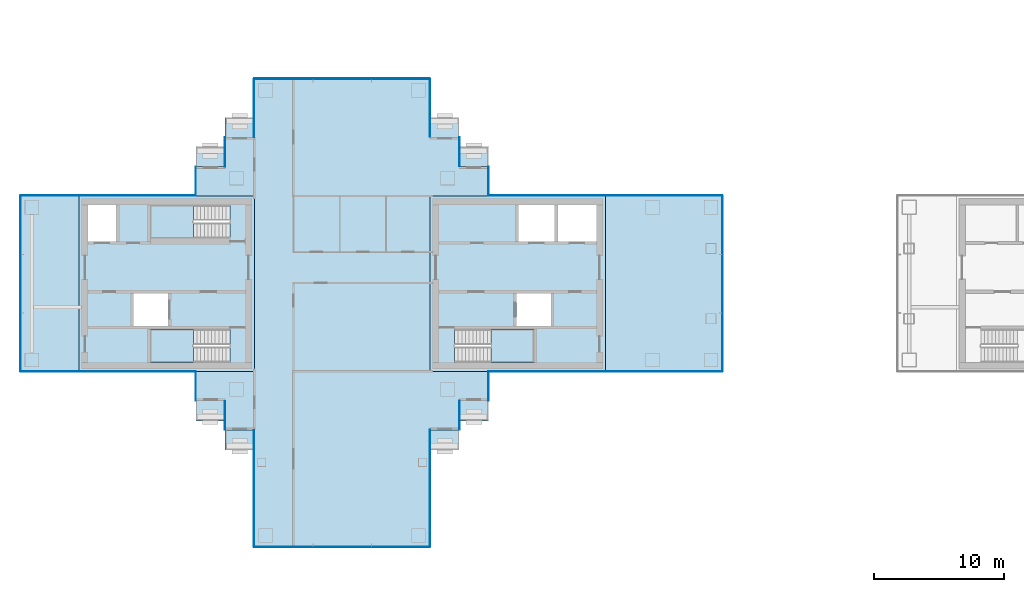
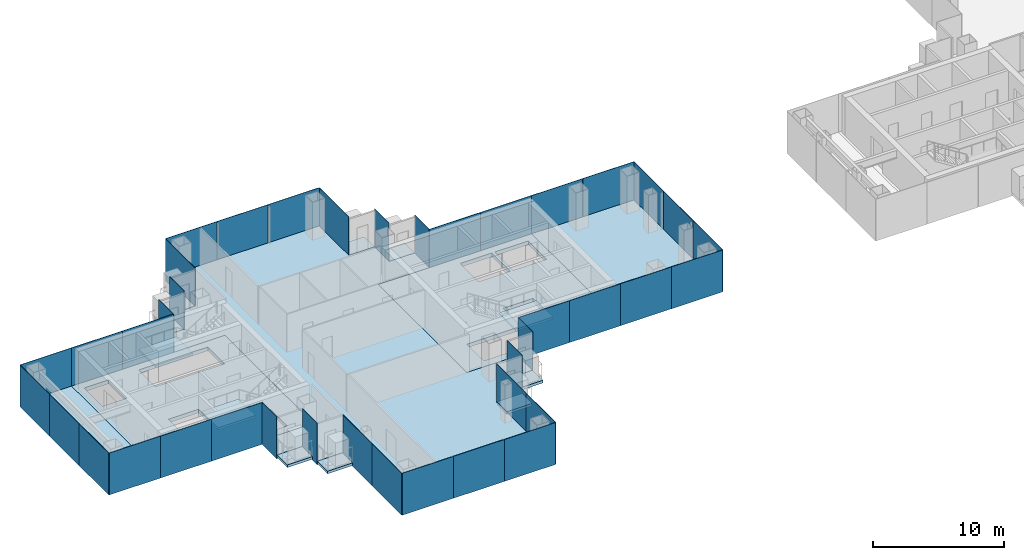
# One storey, part 7 of 17: 40 plates, 16 slabs, 23 elements without a shape of their own.
"""IFC4 building model written with IfcOpenShell, lengths in metres."""

from ifc_helpers import new_model, si_unit, direction, frame, origin, origin_2d, place, context, subcontext, project, spatial, polyline, rectangle, outline, extrude, material, layer, layer_set, type_object, element, aggregate, save


model = new_model("IFC4")

# Units and contexts
model_context = context("Model", 3, precision=1e-05, world=origin(), true_north=direction((0.0, 1.0)))
body_context = subcontext(model_context, "Body", "Model", "MODEL_VIEW")
ifc_project = project(units=[si_unit("LENGTHUNIT", "METRE"), si_unit("AREAUNIT", "SQUARE_METRE"), si_unit("VOLUMEUNIT", "CUBIC_METRE"), si_unit("PLANEANGLEUNIT", "RADIAN"), si_unit("MASSUNIT", "GRAM", prefix="KILO")], contexts=[model_context])

# Site, building, storey
site_placement = place(None, origin())
site = spatial("IfcSite", under=ifc_project, at=site_placement, CompositionType="ELEMENT")
building_placement = place(site_placement, origin())
building = spatial("IfcBuilding", under=site, at=building_placement, Name="Shamsa Quay Exchange Towers", CompositionType="ELEMENT")
storey_placement = place(building_placement, frame((0.0, 0.0, 170.10009765625)))
storey = spatial("IfcBuildingStorey", under=building, at=storey_placement, Name="L40", CompositionType="ELEMENT", Elevation=170.10009765625)

# Slabs
ifc_material_1 = material(Name="Precast concrete C40/50", Category="concrete")
ifc_layer_1 = layer(ifc_material_1, 0.25)
ifc_layer_set_1 = layer_set([ifc_layer_1], Name="BALCONY SLAB 250")
slab_type_1 = type_object("IfcSlabType", Name="BALCONY SLAB 250", PredefinedType="FLOOR", material=ifc_layer_set_1)
slab_1_placement = place(storey_placement, frame((0.0, 0.0, -0.25)))
element("IfcSlab", 1, at=slab_1_placement, inside=storey, type_object=slab_type_1, Name="Balcony T1-PKEN L40", PredefinedType="FLOOR", context=body_context, shape_type="SweptSolid", body=[
    extrude(outline(polyline([(-22.5, 9.0), (-24.7119140625, 9.0), (-24.7119140625, 10.550048828125), (-22.5, 10.550048828125), (-22.5, 9.0)])), origin(), (0.0, 0.0, 1.0), 0.25),
])
slab_2_placement = place(storey_placement, frame((0.0, 0.0, -0.25)))
element("IfcSlab", 2, at=slab_2_placement, inside=storey, type_object=slab_type_1, Name="Balcony T1-PKEN L40", PredefinedType="FLOOR", context=body_context, shape_type="SweptSolid", body=[
    extrude(outline(polyline([(-24.75, 11.25), (-26.9619140625, 11.25), (-26.9619140625, 12.800048828125), (-24.75, 12.800048828125), (-24.75, 11.25)])), origin(), (0.0, 0.0, 1.0), 0.25),
])
slab_3_placement = place(storey_placement, frame((0.0, 0.0, -0.25)))
element("IfcSlab", 3, at=slab_3_placement, inside=storey, type_object=slab_type_1, Name="Balcony T1-PKES L40", PredefinedType="FLOOR", context=body_context, shape_type="SweptSolid", body=[
    extrude(outline(polyline([(-24.7119140625, -9.0), (-22.5, -9.0), (-22.5, -10.550048828125), (-24.7119140625, -10.550048828125), (-24.7119140625, -9.0)])), origin(), (0.0, 0.0, 1.0), 0.25),
])
slab_4_placement = place(storey_placement, frame((0.0, 0.0, -0.25)))
element("IfcSlab", 4, at=slab_4_placement, inside=storey, type_object=slab_type_1, Name="Balcony T1-PKES L40", PredefinedType="FLOOR", context=body_context, shape_type="SweptSolid", body=[
    extrude(outline(polyline([(-26.9619140625, -11.25), (-24.75, -11.25), (-24.75, -12.800048828125), (-26.9619140625, -12.800048828125), (-26.9619140625, -11.25)])), origin(), (0.0, 0.0, 1.0), 0.25),
])
slab_5_placement = place(storey_placement, frame((0.0, 0.0, -0.25)))
element("IfcSlab", 5, at=slab_5_placement, inside=storey, type_object=slab_type_1, Name="Balcony T1-PKWN L40", PredefinedType="FLOOR", context=body_context, shape_type="SweptSolid", body=[
    extrude(outline(polyline([(-40.5380859375, 11.25), (-42.75, 11.25), (-42.75, 12.800048828125), (-40.5380859375, 12.800048828125), (-40.5380859375, 11.25)])), origin(), (0.0, 0.0, 1.0), 0.25),
])
slab_6_placement = place(storey_placement, frame((0.0, 0.0, -0.25)))
element("IfcSlab", 6, at=slab_6_placement, inside=storey, type_object=slab_type_1, Name="Balcony T1-PKWN L40", PredefinedType="FLOOR", context=body_context, shape_type="SweptSolid", body=[
    extrude(outline(polyline([(-42.7880859375, 9.0), (-45.0, 9.0), (-45.0, 10.550048828125), (-42.7880859375, 10.550048828125), (-42.7880859375, 9.0)])), origin(), (0.0, 0.0, 1.0), 0.25),
])
slab_7_placement = place(storey_placement, frame((0.0, 0.0, -0.25)))
element("IfcSlab", 7, at=slab_7_placement, inside=storey, type_object=slab_type_1, Name="Balcony T1-PKWS L40", PredefinedType="FLOOR", context=body_context, shape_type="SweptSolid", body=[
    extrude(outline(polyline([(-45.0, -9.0), (-42.7880859375, -9.0), (-42.7880859375, -10.550048828125), (-45.0, -10.550048828125), (-45.0, -9.0)])), origin(), (0.0, 0.0, 1.0), 0.25),
])
slab_8_placement = place(storey_placement, frame((0.0, 0.0, -0.25)))
element("IfcSlab", 8, at=slab_8_placement, inside=storey, type_object=slab_type_1, Name="Balcony T1-PKWS L40", PredefinedType="FLOOR", context=body_context, shape_type="SweptSolid", body=[
    extrude(outline(polyline([(-42.75, -11.25), (-40.5380859375, -11.25), (-40.5380859375, -12.800048828125), (-42.75, -12.800048828125), (-42.75, -11.25)])), origin(), (0.0, 0.0, 1.0), 0.25),
])
ifc_material_2 = material(Name="Concrete C50/60", Category="concrete")
ifc_layer_2 = layer(ifc_material_2, 0.35009765625)
ifc_layer_set_2 = layer_set([ifc_layer_2], Name="CORE FLOOR 350 C50/60")
slab_type_2 = type_object("IfcSlabType", Name="CORE FLOOR 350 C50/60", PredefinedType="FLOOR", material=ifc_layer_set_2)
slab_9_placement = place(storey_placement, frame((0.0, 0.0, -0.35009765625)))
element("IfcSlab", 9, at=slab_9_placement, inside=storey, type_object=slab_type_2, Name="Core floor T1A", PredefinedType="FLOOR", context=body_context, shape_type="SweptSolid", body=[
    extrude(outline(polyline([(-27.0, -6.75), (-13.5, -6.75), (-13.5, 6.75), (-27.0, 6.75), (-27.0, -6.75)]), holes=[polyline([(-25.099365234375, -6.050048828125), (-25.099365234375, -3.5), (-19.0, -3.5), (-19.0, -6.050048828125), (-25.099365234375, -6.050048828125)]), polyline([(-20.199951171875, 3.25), (-20.199951171875, 6.050048828125), (-17.39990234375, 6.050048828125), (-17.39990234375, 3.25), (-20.199951171875, 3.25)]), polyline([(-17.14990234375, 3.25), (-17.14990234375, 6.050048828125), (-14.199951171875, 6.050048828125), (-14.199951171875, 3.25), (-17.14990234375, 3.25)]), polyline([(-20.35009765625, -3.25), (-20.35009765625, -0.75), (-17.699951171875, -0.75), (-17.699951171875, -3.25), (-20.35009765625, -3.25)])]), origin(), (0.0, 0.0, 1.0), 0.35009765625),
])
slab_10_placement = place(storey_placement, frame((0.0, 0.0, -0.35009765625)))
element("IfcSlab", 10, at=slab_10_placement, inside=storey, type_object=slab_type_2, Name="Core floor T1B", PredefinedType="FLOOR", context=body_context, shape_type="SweptSolid", body=[
    extrude(outline(polyline([(-40.5, -6.75), (-40.5, 6.75), (-54.0, 6.75), (-54.0, -6.75), (-40.5, -6.75)]), holes=[polyline([(-42.400634765625, -3.5), (-42.400634765625, -6.050048828125), (-48.5, -6.050048828125), (-48.5, -3.5), (-42.400634765625, -3.5)]), polyline([(-42.400634765625, 6.050048828125), (-42.400634765625, 3.5), (-48.5, 3.5), (-48.5, 6.050048828125), (-42.400634765625, 6.050048828125)]), polyline([(-51.14990234375, 3.25), (-53.300048828125, 3.25), (-53.300048828125, 6.050048828125), (-51.14990234375, 6.050048828125), (-51.14990234375, 3.25)]), polyline([(-47.14990234375, -3.25), (-49.800048828125, -3.25), (-49.800048828125, -0.75), (-47.14990234375, -0.75), (-47.14990234375, -3.25)])]), origin(), (0.0, 0.0, 1.0), 0.35009765625),
])

# Stair, slab
ifc_material_3 = material(Name="Concrete C40/50", Category="concrete")
stair_type = type_object("IfcStairType", Name="EXIT STAIR 22 RISERS 177 MM", PredefinedType="HALF_TURN_STAIR", material=ifc_material_3)
stair_1_placement = place(storey_placement, origin())
stair_1 = element("IfcStair", 11, at=stair_1_placement, inside=storey, type_object=stair_type, Name="L40 Exit stair ST1", PredefinedType="HALF_TURN_STAIR")
ifc_layer_3 = layer(ifc_material_3, 0.199951171875)
ifc_layer_set_3 = layer_set([ifc_layer_3], Name="CORE STAIR LANDING")
slab_type_3 = type_object("IfcSlabType", Name="CORE STAIR LANDING", PredefinedType="LANDING", material=ifc_layer_set_3)
slab_11_placement = place(storey_placement, frame((0.0, 0.0, 1.75)))
slab_11 = element("IfcSlab", 12, at=slab_11_placement, type_object=slab_type_3, Name="ST1 landing 1", PredefinedType="LANDING", context=body_context, shape_type="SweptSolid", body=[
    extrude(outline(polyline([(-22.300048828125, -6.050048828125), (-19.0, -6.050048828125), (-19.0, -3.5), (-22.300048828125, -3.5), (-22.300048828125, -6.050048828125)])), origin(), (0.0, 0.0, 1.0), 0.199951171875),
])
aggregate(stair_1, [slab_11])

stair_2_placement = place(storey_placement, origin())
stair_2 = element("IfcStair", 13, at=stair_2_placement, inside=storey, type_object=stair_type, Name="L40 Exit stair ST2", PredefinedType="HALF_TURN_STAIR")
slab_12_placement = place(storey_placement, frame((0.0, 0.0, 1.75)))
slab_12 = element("IfcSlab", 14, at=slab_12_placement, type_object=slab_type_3, Name="ST2 landing 1", PredefinedType="LANDING", context=body_context, shape_type="SweptSolid", body=[
    extrude(outline(polyline([(-45.199951171875, -3.5), (-48.5, -3.5), (-48.5, -6.050048828125), (-45.199951171875, -6.050048828125), (-45.199951171875, -3.5)])), origin(), (0.0, 0.0, 1.0), 0.199951171875),
])
aggregate(stair_2, [slab_12])

stair_3_placement = place(storey_placement, origin())
stair_3 = element("IfcStair", 15, at=stair_3_placement, inside=storey, type_object=stair_type, Name="L40 Exit stair ST3", PredefinedType="HALF_TURN_STAIR")
slab_13_placement = place(storey_placement, frame((0.0, 0.0, 1.75)))
slab_13 = element("IfcSlab", 16, at=slab_13_placement, type_object=slab_type_3, Name="ST3 landing 1", PredefinedType="LANDING", context=body_context, shape_type="SweptSolid", body=[
    extrude(outline(polyline([(-45.199951171875, 6.050048828125), (-48.5, 6.050048828125), (-48.5, 3.5), (-45.199951171875, 3.5), (-45.199951171875, 6.050048828125)])), origin(), (0.0, 0.0, 1.0), 0.199951171875),
])
aggregate(stair_3, [slab_13])

# Curtain wall, plates
ifc_material_4 = material(Name="Aluminium EN AW-6063 T6, black anodised", Category="aluminium")
ifc_layer_4 = layer(ifc_material_4, 0.280029296875)
ifc_layer_set_4 = layer_set([ifc_layer_4], Name="CW-1 UNITISED VISION GLASS")
curtain_wall_type_1 = type_object("IfcCurtainWallType", Name="CW-1 UNITISED VISION GLASS", PredefinedType="NOTDEFINED", material=ifc_layer_set_4)
curtain_wall_1_placement = place(storey_placement, origin())
curtain_wall_1 = element("IfcCurtainWall", 17, at=curtain_wall_1_placement, inside=storey, type_object=curtain_wall_type_1, Name="CW1 T1-FLK-V-W L40", PredefinedType="NOTDEFINED")
ifc_material_5 = material(Name="Glass, laminated, dark tinted", Category="glass")
ifc_layer_5 = layer(ifc_material_5, 0.0400390625)
ifc_layer_set_5 = layer_set([ifc_layer_5], Name="CW-1 VISION GLASS 40")
plate_type_1 = type_object("IfcPlateType", Name="CW-1 VISION GLASS 40", PredefinedType="CURTAIN_PANEL", material=ifc_layer_set_5)
plate_1_placement = place(storey_placement, frame((-40.52001953125, -13.52587890625, -0.35009765625), z_axis=(0.0, 0.0, 1.0), x_axis=(0.0, -1.0, 0.0)))
plate_1 = element("IfcPlate", 18, at=plate_1_placement, type_object=plate_type_1, Name="CW1 glass panel", PredefinedType="CURTAIN_PANEL", context=body_context, shape_type="SweptSolid", body=[
    extrude(rectangle(XDim=4.47607421875, YDim=0.0400390625, at=origin_2d()), origin(), (0.0, 0.0, 1.0), 3.89990234375),
])
plate_2_placement = place(storey_placement, frame((-40.52001953125, -18.011962890625, -0.35009765625), z_axis=(0.0, 0.0, 1.0), x_axis=(0.0, -1.0, 0.0)))
plate_2 = element("IfcPlate", 19, at=plate_2_placement, type_object=plate_type_1, Name="CW1 glass panel", PredefinedType="CURTAIN_PANEL", context=body_context, shape_type="SweptSolid", body=[
    extrude(rectangle(XDim=4.47607421875, YDim=0.0400390625, at=origin_2d()), origin(), (0.0, 0.0, 1.0), 3.89990234375),
])
aggregate(curtain_wall_1, [plate_1, plate_2])

curtain_wall_2_placement = place(storey_placement, origin())
curtain_wall_2 = element("IfcCurtainWall", 20, at=curtain_wall_2_placement, inside=storey, type_object=curtain_wall_type_1, Name="CW1 T1-END-V- L40", PredefinedType="NOTDEFINED")
plate_3_placement = place(storey_placement, frame((-38.25244140625, -20.27001953125, -0.35009765625)))
plate_3 = element("IfcPlate", 21, at=plate_3_placement, type_object=plate_type_1, Name="CW1 glass panel", PredefinedType="CURTAIN_PANEL", context=body_context, shape_type="SweptSolid", body=[
    extrude(rectangle(XDim=4.4951171875, YDim=0.0400390625, at=origin_2d()), origin(), (0.0, 0.0, 1.0), 3.89990234375),
])
plate_4_placement = place(storey_placement, frame((-33.75, -20.27001953125, -0.35009765625)))
plate_4 = element("IfcPlate", 22, at=plate_4_placement, type_object=plate_type_1, Name="CW1 glass panel", PredefinedType="CURTAIN_PANEL", context=body_context, shape_type="SweptSolid", body=[
    extrude(rectangle(XDim=4.489990234375, YDim=0.0400390625, at=origin_2d()), origin(), (0.0, 0.0, 1.0), 3.89990234375),
])
plate_5_placement = place(storey_placement, frame((-29.24755859375, -20.27001953125, -0.35009765625)))
plate_5 = element("IfcPlate", 23, at=plate_5_placement, type_object=plate_type_1, Name="CW1 glass panel", PredefinedType="CURTAIN_PANEL", context=body_context, shape_type="SweptSolid", body=[
    extrude(rectangle(XDim=4.4951171875, YDim=0.0400390625, at=origin_2d()), origin(), (0.0, 0.0, 1.0), 3.89990234375),
])
aggregate(curtain_wall_2, [plate_3, plate_4, plate_5])

curtain_wall_3_placement = place(storey_placement, origin())
curtain_wall_3 = element("IfcCurtainWall", 24, at=curtain_wall_3_placement, inside=storey, type_object=curtain_wall_type_1, Name="CW1 T1-FLK-V-E L40", PredefinedType="NOTDEFINED")
plate_6_placement = place(storey_placement, frame((-26.97998046875, -18.00244140625, -0.35009765625), z_axis=(0.0, 0.0, 1.0), x_axis=(0.0, 1.0, 0.0)))
plate_6 = element("IfcPlate", 25, at=plate_6_placement, type_object=plate_type_1, Name="CW1 glass panel", PredefinedType="CURTAIN_PANEL", context=body_context, shape_type="SweptSolid", body=[
    extrude(rectangle(XDim=4.4951171875, YDim=0.0400390625, at=origin_2d()), origin(), (0.0, 0.0, 1.0), 3.89990234375),
])
plate_7_placement = place(storey_placement, frame((-26.97998046875, -13.49755859375, -0.35009765625), z_axis=(0.0, 0.0, 1.0), x_axis=(0.0, 1.0, 0.0)))
plate_7 = element("IfcPlate", 26, at=plate_7_placement, type_object=plate_type_1, Name="CW1 glass panel", PredefinedType="CURTAIN_PANEL", context=body_context, shape_type="SweptSolid", body=[
    extrude(rectangle(XDim=4.4951171875, YDim=0.0400390625, at=origin_2d()), origin(), (0.0, 0.0, 1.0), 3.89990234375),
])
aggregate(curtain_wall_3, [plate_6, plate_7])

curtain_wall_4_placement = place(storey_placement, origin())
curtain_wall_4 = element("IfcCurtainWall", 27, at=curtain_wall_4_placement, inside=storey, type_object=curtain_wall_type_1, Name="CW1 T1-FLK-U+S L40", PredefinedType="NOTDEFINED")
plate_8_placement = place(storey_placement, frame((-11.25244140625, -6.77001953125, -0.35009765625)))
plate_8 = element("IfcPlate", 28, at=plate_8_placement, type_object=plate_type_1, Name="CW1 glass panel", PredefinedType="CURTAIN_PANEL", context=body_context, shape_type="SweptSolid", body=[
    extrude(rectangle(XDim=4.4951171875, YDim=0.0400390625, at=origin_2d()), origin(), (0.0, 0.0, 1.0), 3.89990234375),
])
plate_9_placement = place(storey_placement, frame((-6.74755859375, -6.77001953125, -0.35009765625)))
plate_9 = element("IfcPlate", 29, at=plate_9_placement, type_object=plate_type_1, Name="CW1 glass panel", PredefinedType="CURTAIN_PANEL", context=body_context, shape_type="SweptSolid", body=[
    extrude(rectangle(XDim=4.4951171875, YDim=0.0400390625, at=origin_2d()), origin(), (0.0, 0.0, 1.0), 3.89990234375),
])
aggregate(curtain_wall_4, [plate_8, plate_9])

curtain_wall_5_placement = place(storey_placement, origin())
curtain_wall_5 = element("IfcCurtainWall", 30, at=curtain_wall_5_placement, inside=storey, type_object=curtain_wall_type_1, Name="CW1 T1-END-U+ L40", PredefinedType="NOTDEFINED")
plate_10_placement = place(storey_placement, frame((-4.47998046875, -4.50244140625, -0.35009765625), z_axis=(0.0, 0.0, 1.0), x_axis=(0.0, 1.0, 0.0)))
plate_10 = element("IfcPlate", 31, at=plate_10_placement, type_object=plate_type_1, Name="CW1 glass panel", PredefinedType="CURTAIN_PANEL", context=body_context, shape_type="SweptSolid", body=[
    extrude(rectangle(XDim=4.4951171875, YDim=0.0400390625, at=origin_2d()), origin(), (0.0, 0.0, 1.0), 3.89990234375),
])
plate_11_placement = place(storey_placement, frame((-4.47998046875, 0.0, -0.35009765625), z_axis=(0.0, 0.0, 1.0), x_axis=(0.0, 1.0, 0.0)))
plate_11 = element("IfcPlate", 32, at=plate_11_placement, type_object=plate_type_1, Name="CW1 glass panel", PredefinedType="CURTAIN_PANEL", context=body_context, shape_type="SweptSolid", body=[
    extrude(rectangle(XDim=4.489990234375, YDim=0.0400390625, at=origin_2d()), origin(), (0.0, 0.0, 1.0), 3.89990234375),
])
plate_12_placement = place(storey_placement, frame((-4.47998046875, 4.50244140625, -0.35009765625), z_axis=(0.0, 0.0, 1.0), x_axis=(0.0, 1.0, 0.0)))
plate_12 = element("IfcPlate", 33, at=plate_12_placement, type_object=plate_type_1, Name="CW1 glass panel", PredefinedType="CURTAIN_PANEL", context=body_context, shape_type="SweptSolid", body=[
    extrude(rectangle(XDim=4.4951171875, YDim=0.0400390625, at=origin_2d()), origin(), (0.0, 0.0, 1.0), 3.89990234375),
])
aggregate(curtain_wall_5, [plate_10, plate_11, plate_12])

curtain_wall_6_placement = place(storey_placement, origin())
curtain_wall_6 = element("IfcCurtainWall", 34, at=curtain_wall_6_placement, inside=storey, type_object=curtain_wall_type_1, Name="CW1 T1-FLK-U+N L40", PredefinedType="NOTDEFINED")
plate_13_placement = place(storey_placement, frame((-6.74755859375, 6.77001953125, -0.35009765625), z_axis=(0.0, 0.0, 1.0), x_axis=(-1.0, 0.0, 0.0)))
plate_13 = element("IfcPlate", 35, at=plate_13_placement, type_object=plate_type_1, Name="CW1 glass panel", PredefinedType="CURTAIN_PANEL", context=body_context, shape_type="SweptSolid", body=[
    extrude(rectangle(XDim=4.4951171875, YDim=0.0400390625, at=origin_2d()), origin(), (0.0, 0.0, 1.0), 3.89990234375),
])
plate_14_placement = place(storey_placement, frame((-11.25244140625, 6.77001953125, -0.35009765625), z_axis=(0.0, 0.0, 1.0), x_axis=(-1.0, 0.0, 0.0)))
plate_14 = element("IfcPlate", 36, at=plate_14_placement, type_object=plate_type_1, Name="CW1 glass panel", PredefinedType="CURTAIN_PANEL", context=body_context, shape_type="SweptSolid", body=[
    extrude(rectangle(XDim=4.4951171875, YDim=0.0400390625, at=origin_2d()), origin(), (0.0, 0.0, 1.0), 3.89990234375),
])
aggregate(curtain_wall_6, [plate_13, plate_14])

# Curtain wall, plate
curtain_wall_7_placement = place(storey_placement, origin())
curtain_wall_7 = element("IfcCurtainWall", 37, at=curtain_wall_7_placement, inside=storey, type_object=curtain_wall_type_1, Name="CW1 T1-FLK-V+E L40", PredefinedType="NOTDEFINED")
plate_15_placement = place(storey_placement, frame((-26.97998046875, 13.51904296875, -0.35009765625), z_axis=(0.0, 0.0, 1.0), x_axis=(0.0, 1.0, 0.0)))
plate_15 = element("IfcPlate", 38, at=plate_15_placement, type_object=plate_type_1, Name="CW1 glass panel", PredefinedType="CURTAIN_PANEL", context=body_context, shape_type="SweptSolid", body=[
    extrude(rectangle(XDim=4.4619140625, YDim=0.0400390625, at=origin_2d()), origin(), (0.0, 0.0, 1.0), 3.89990234375),
])
aggregate(curtain_wall_7, [plate_15])

# Curtain wall, plates
curtain_wall_8_placement = place(storey_placement, origin())
curtain_wall_8 = element("IfcCurtainWall", 39, at=curtain_wall_8_placement, inside=storey, type_object=curtain_wall_type_1, Name="CW1 T1-END-V+ L40", PredefinedType="NOTDEFINED")
plate_16_placement = place(storey_placement, frame((-29.24755859375, 15.77001953125, -0.35009765625), z_axis=(0.0, 0.0, 1.0), x_axis=(-1.0, 0.0, 0.0)))
plate_16 = element("IfcPlate", 40, at=plate_16_placement, type_object=plate_type_1, Name="CW1 glass panel", PredefinedType="CURTAIN_PANEL", context=body_context, shape_type="SweptSolid", body=[
    extrude(rectangle(XDim=4.4951171875, YDim=0.0400390625, at=origin_2d()), origin(), (0.0, 0.0, 1.0), 3.89990234375),
])
plate_17_placement = place(storey_placement, frame((-33.75, 15.77001953125, -0.35009765625), z_axis=(0.0, 0.0, 1.0), x_axis=(-1.0, 0.0, 0.0)))
plate_17 = element("IfcPlate", 41, at=plate_17_placement, type_object=plate_type_1, Name="CW1 glass panel", PredefinedType="CURTAIN_PANEL", context=body_context, shape_type="SweptSolid", body=[
    extrude(rectangle(XDim=4.489990234375, YDim=0.0400390625, at=origin_2d()), origin(), (0.0, 0.0, 1.0), 3.89990234375),
])
plate_18_placement = place(storey_placement, frame((-38.25244140625, 15.77001953125, -0.35009765625), z_axis=(0.0, 0.0, 1.0), x_axis=(-1.0, 0.0, 0.0)))
plate_18 = element("IfcPlate", 42, at=plate_18_placement, type_object=plate_type_1, Name="CW1 glass panel", PredefinedType="CURTAIN_PANEL", context=body_context, shape_type="SweptSolid", body=[
    extrude(rectangle(XDim=4.4951171875, YDim=0.0400390625, at=origin_2d()), origin(), (0.0, 0.0, 1.0), 3.89990234375),
])
aggregate(curtain_wall_8, [plate_16, plate_17, plate_18])

# Curtain wall, plate
curtain_wall_9_placement = place(storey_placement, origin())
curtain_wall_9 = element("IfcCurtainWall", 43, at=curtain_wall_9_placement, inside=storey, type_object=curtain_wall_type_1, Name="CW1 T1-FLK-V+W L40", PredefinedType="NOTDEFINED")
plate_19_placement = place(storey_placement, frame((-40.52001953125, 13.5, -0.35009765625), z_axis=(0.0, 0.0, 1.0), x_axis=(0.0, -1.0, 0.0)))
plate_19 = element("IfcPlate", 44, at=plate_19_placement, type_object=plate_type_1, Name="CW1 glass panel", PredefinedType="CURTAIN_PANEL", context=body_context, shape_type="SweptSolid", body=[
    extrude(rectangle(XDim=4.5, YDim=0.0400390625, at=origin_2d()), origin(), (0.0, 0.0, 1.0), 3.89990234375),
])
aggregate(curtain_wall_9, [plate_19])

curtain_wall_10_placement = place(storey_placement, origin())
curtain_wall_10 = element("IfcCurtainWall", 45, at=curtain_wall_10_placement, inside=storey, type_object=curtain_wall_type_1, Name="CW1 T1-FLK-U-N L40", PredefinedType="NOTDEFINED")
plate_20_placement = place(storey_placement, frame((-56.25, 6.77001953125, -0.35009765625), z_axis=(0.0, 0.0, 1.0), x_axis=(-1.0, 0.0, 0.0)))
plate_20 = element("IfcPlate", 46, at=plate_20_placement, type_object=plate_type_1, Name="CW1 glass panel", PredefinedType="CURTAIN_PANEL", context=body_context, shape_type="SweptSolid", body=[
    extrude(rectangle(XDim=4.5, YDim=0.0400390625, at=origin_2d()), origin(), (0.0, 0.0, 1.0), 3.89990234375),
])
aggregate(curtain_wall_10, [plate_20])

# Curtain wall, plates
curtain_wall_11_placement = place(storey_placement, origin())
curtain_wall_11 = element("IfcCurtainWall", 47, at=curtain_wall_11_placement, inside=storey, type_object=curtain_wall_type_1, Name="CW1 T1-END-U- L40", PredefinedType="NOTDEFINED")
plate_21_placement = place(storey_placement, frame((-58.52001953125, 4.50244140625, -0.35009765625), z_axis=(0.0, 0.0, 1.0), x_axis=(0.0, -1.0, 0.0)))
plate_21 = element("IfcPlate", 48, at=plate_21_placement, type_object=plate_type_1, Name="CW1 glass panel", PredefinedType="CURTAIN_PANEL", context=body_context, shape_type="SweptSolid", body=[
    extrude(rectangle(XDim=4.4951171875, YDim=0.0400390625, at=origin_2d()), origin(), (0.0, 0.0, 1.0), 3.89990234375),
])
plate_22_placement = place(storey_placement, frame((-58.52001953125, 0.0, -0.35009765625), z_axis=(0.0, 0.0, 1.0), x_axis=(0.0, -1.0, 0.0)))
plate_22 = element("IfcPlate", 49, at=plate_22_placement, type_object=plate_type_1, Name="CW1 glass panel", PredefinedType="CURTAIN_PANEL", context=body_context, shape_type="SweptSolid", body=[
    extrude(rectangle(XDim=4.489990234375, YDim=0.0400390625, at=origin_2d()), origin(), (0.0, 0.0, 1.0), 3.89990234375),
])
plate_23_placement = place(storey_placement, frame((-58.52001953125, -4.50244140625, -0.35009765625), z_axis=(0.0, 0.0, 1.0), x_axis=(0.0, -1.0, 0.0)))
plate_23 = element("IfcPlate", 50, at=plate_23_placement, type_object=plate_type_1, Name="CW1 glass panel", PredefinedType="CURTAIN_PANEL", context=body_context, shape_type="SweptSolid", body=[
    extrude(rectangle(XDim=4.4951171875, YDim=0.0400390625, at=origin_2d()), origin(), (0.0, 0.0, 1.0), 3.89990234375),
])
aggregate(curtain_wall_11, [plate_21, plate_22, plate_23])

# Curtain wall, plate
curtain_wall_12_placement = place(storey_placement, origin())
curtain_wall_12 = element("IfcCurtainWall", 51, at=curtain_wall_12_placement, inside=storey, type_object=curtain_wall_type_1, Name="CW1 T1-FLK-U-S L40", PredefinedType="NOTDEFINED")
plate_24_placement = place(storey_placement, frame((-56.25, -6.77001953125, -0.35009765625)))
plate_24 = element("IfcPlate", 52, at=plate_24_placement, type_object=plate_type_1, Name="CW1 glass panel", PredefinedType="CURTAIN_PANEL", context=body_context, shape_type="SweptSolid", body=[
    extrude(rectangle(XDim=4.5, YDim=0.0400390625, at=origin_2d()), origin(), (0.0, 0.0, 1.0), 3.89990234375),
])
aggregate(curtain_wall_12, [plate_24])

# Curtain wall, plates
ifc_layer_6 = layer(ifc_material_4, 0.303955078125)
ifc_layer_set_6 = layer_set([ifc_layer_6], Name="CW-2 UNITISED OPAQUE SPANDREL GLASS")
curtain_wall_type_2 = type_object("IfcCurtainWallType", Name="CW-2 UNITISED OPAQUE SPANDREL GLASS", PredefinedType="NOTDEFINED", material=ifc_layer_set_6)
curtain_wall_13_placement = place(storey_placement, origin())
curtain_wall_13 = element("IfcCurtainWall", 53, at=curtain_wall_13_placement, inside=storey, type_object=curtain_wall_type_2, Name="CW2 T1-FLK-U+S L40", PredefinedType="NOTDEFINED")
ifc_material_6 = material(Name="Glass, laminated, black enamelled opaque", Category="glass")
ifc_layer_7 = layer(ifc_material_6, 0.0439453125)
ifc_layer_set_7 = layer_set([ifc_layer_7], Name="CW-2 SPANDREL GLASS 44")
plate_type_2 = type_object("IfcPlateType", Name="CW-2 SPANDREL GLASS 44", PredefinedType="CURTAIN_PANEL", material=ifc_layer_set_7)
plate_25_placement = place(storey_placement, frame((-20.22412109375, -6.77197265625, -0.35009765625)))
plate_25 = element("IfcPlate", 54, at=plate_25_placement, type_object=plate_type_2, Name="CW2 glass panel", PredefinedType="CURTAIN_PANEL", context=body_context, shape_type="SweptSolid", body=[
    extrude(rectangle(XDim=4.47607421875, YDim=0.0439453125, at=origin_2d()), origin(), (0.0, 0.0, 1.0), 3.89990234375),
])
plate_26_placement = place(storey_placement, frame((-15.738037109375, -6.77197265625, -0.35009765625)))
plate_26 = element("IfcPlate", 55, at=plate_26_placement, type_object=plate_type_2, Name="CW2 glass panel", PredefinedType="CURTAIN_PANEL", context=body_context, shape_type="SweptSolid", body=[
    extrude(rectangle(XDim=4.47607421875, YDim=0.0439453125, at=origin_2d()), origin(), (0.0, 0.0, 1.0), 3.89990234375),
])
aggregate(curtain_wall_13, [plate_25, plate_26])

curtain_wall_14_placement = place(storey_placement, origin())
curtain_wall_14 = element("IfcCurtainWall", 56, at=curtain_wall_14_placement, inside=storey, type_object=curtain_wall_type_2, Name="CW2 T1-FLK-U+N L40", PredefinedType="NOTDEFINED")
plate_27_placement = place(storey_placement, frame((-15.74755859375, 6.77197265625, -0.35009765625), z_axis=(0.0, 0.0, 1.0), x_axis=(-1.0, 0.0, 0.0)))
plate_27 = element("IfcPlate", 57, at=plate_27_placement, type_object=plate_type_2, Name="CW2 glass panel", PredefinedType="CURTAIN_PANEL", context=body_context, shape_type="SweptSolid", body=[
    extrude(rectangle(XDim=4.4951171875, YDim=0.0439453125, at=origin_2d()), origin(), (0.0, 0.0, 1.0), 3.89990234375),
])
plate_28_placement = place(storey_placement, frame((-20.25244140625, 6.77197265625, -0.35009765625), z_axis=(0.0, 0.0, 1.0), x_axis=(-1.0, 0.0, 0.0)))
plate_28 = element("IfcPlate", 58, at=plate_28_placement, type_object=plate_type_2, Name="CW2 glass panel", PredefinedType="CURTAIN_PANEL", context=body_context, shape_type="SweptSolid", body=[
    extrude(rectangle(XDim=4.4951171875, YDim=0.0439453125, at=origin_2d()), origin(), (0.0, 0.0, 1.0), 3.89990234375),
])
aggregate(curtain_wall_14, [plate_27, plate_28])

curtain_wall_15_placement = place(storey_placement, origin())
curtain_wall_15 = element("IfcCurtainWall", 59, at=curtain_wall_15_placement, inside=storey, type_object=curtain_wall_type_2, Name="CW2 T1-FLK-U-N L40", PredefinedType="NOTDEFINED")
plate_29_placement = place(storey_placement, frame((-47.27587890625, 6.77197265625, -0.35009765625), z_axis=(0.0, 0.0, 1.0), x_axis=(-1.0, 0.0, 0.0)))
plate_29 = element("IfcPlate", 60, at=plate_29_placement, type_object=plate_type_2, Name="CW2 glass panel", PredefinedType="CURTAIN_PANEL", context=body_context, shape_type="SweptSolid", body=[
    extrude(rectangle(XDim=4.47607421875, YDim=0.0439453125, at=origin_2d()), origin(), (0.0, 0.0, 1.0), 3.89990234375),
])
plate_30_placement = place(storey_placement, frame((-51.761962890625, 6.77197265625, -0.35009765625), z_axis=(0.0, 0.0, 1.0), x_axis=(-1.0, 0.0, 0.0)))
plate_30 = element("IfcPlate", 61, at=plate_30_placement, type_object=plate_type_2, Name="CW2 glass panel", PredefinedType="CURTAIN_PANEL", context=body_context, shape_type="SweptSolid", body=[
    extrude(rectangle(XDim=4.47607421875, YDim=0.0439453125, at=origin_2d()), origin(), (0.0, 0.0, 1.0), 3.89990234375),
])
aggregate(curtain_wall_15, [plate_29, plate_30])

curtain_wall_16_placement = place(storey_placement, origin())
curtain_wall_16 = element("IfcCurtainWall", 62, at=curtain_wall_16_placement, inside=storey, type_object=curtain_wall_type_2, Name="CW2 T1-FLK-U-S L40", PredefinedType="NOTDEFINED")
plate_31_placement = place(storey_placement, frame((-51.75244140625, -6.77197265625, -0.35009765625)))
plate_31 = element("IfcPlate", 63, at=plate_31_placement, type_object=plate_type_2, Name="CW2 glass panel", PredefinedType="CURTAIN_PANEL", context=body_context, shape_type="SweptSolid", body=[
    extrude(rectangle(XDim=4.4951171875, YDim=0.0439453125, at=origin_2d()), origin(), (0.0, 0.0, 1.0), 3.89990234375),
])
plate_32_placement = place(storey_placement, frame((-47.24755859375, -6.77197265625, -0.35009765625)))
plate_32 = element("IfcPlate", 64, at=plate_32_placement, type_object=plate_type_2, Name="CW2 glass panel", PredefinedType="CURTAIN_PANEL", context=body_context, shape_type="SweptSolid", body=[
    extrude(rectangle(XDim=4.4951171875, YDim=0.0439453125, at=origin_2d()), origin(), (0.0, 0.0, 1.0), 3.89990234375),
])
aggregate(curtain_wall_16, [plate_31, plate_32])

ifc_layer_8 = layer(ifc_material_4, 0.256103515625)
ifc_layer_set_8 = layer_set([ifc_layer_8], Name="CW-4 POCKET SERRATED GLAZING")
curtain_wall_type_3 = type_object("IfcCurtainWallType", Name="CW-4 POCKET SERRATED GLAZING", PredefinedType="NOTDEFINED", material=ifc_layer_set_8)
curtain_wall_17_placement = place(storey_placement, origin())
curtain_wall_17 = element("IfcCurtainWall", 65, at=curtain_wall_17_placement, inside=storey, type_object=curtain_wall_type_3, Name="CW4 PKWS L40", PredefinedType="NOTDEFINED")
ifc_layer_9 = layer(ifc_material_5, 0.035888671875)
ifc_layer_set_9 = layer_set([ifc_layer_9], Name="CW-4 POCKET GLASS 36")
plate_type_3 = type_object("IfcPlateType", Name="CW-4 POCKET GLASS 36", PredefinedType="CURTAIN_PANEL", material=ifc_layer_set_9)
plate_33_placement = place(storey_placement, frame((-42.76806640625, -10.14404296875, -0.35009765625), z_axis=(0.0, 0.0, 1.0), x_axis=(0.0, -1.0, 0.0)))
plate_33 = element("IfcPlate", 66, at=plate_33_placement, type_object=plate_type_3, Name="CW4 glass panel", PredefinedType="CURTAIN_PANEL", context=body_context, shape_type="SweptSolid", body=[
    extrude(rectangle(XDim=2.2119140625, YDim=0.035888671875, at=origin_2d()), origin(), (0.0, 0.0, 1.0), 3.89990234375),
])
plate_34_placement = place(storey_placement, frame((-45.01806640625, -7.89794921875, -0.35009765625), z_axis=(0.0, 0.0, 1.0), x_axis=(0.0, -1.0, 0.0)))
plate_34 = element("IfcPlate", 67, at=plate_34_placement, type_object=plate_type_3, Name="CW4 glass panel", PredefinedType="CURTAIN_PANEL", context=body_context, shape_type="SweptSolid", body=[
    extrude(rectangle(XDim=2.2041015625, YDim=0.035888671875, at=origin_2d()), origin(), (0.0, 0.0, 1.0), 3.89990234375),
])
aggregate(curtain_wall_17, [plate_33, plate_34])

curtain_wall_18_placement = place(storey_placement, origin())
curtain_wall_18 = element("IfcCurtainWall", 68, at=curtain_wall_18_placement, inside=storey, type_object=curtain_wall_type_3, Name="CW4 PKES L40", PredefinedType="NOTDEFINED")
plate_35_placement = place(storey_placement, frame((-24.73193359375, -10.125, -0.35009765625), z_axis=(0.0, 0.0, 1.0), x_axis=(0.0, 1.0, 0.0)))
plate_35 = element("IfcPlate", 69, at=plate_35_placement, type_object=plate_type_3, Name="CW4 glass panel", PredefinedType="CURTAIN_PANEL", context=body_context, shape_type="SweptSolid", body=[
    extrude(rectangle(XDim=2.25, YDim=0.035888671875, at=origin_2d()), origin(), (0.0, 0.0, 1.0), 3.89990234375),
])
plate_36_placement = place(storey_placement, frame((-22.48193359375, -7.875, -0.35009765625), z_axis=(0.0, 0.0, 1.0), x_axis=(0.0, 1.0, 0.0)))
plate_36 = element("IfcPlate", 70, at=plate_36_placement, type_object=plate_type_3, Name="CW4 glass panel", PredefinedType="CURTAIN_PANEL", context=body_context, shape_type="SweptSolid", body=[
    extrude(rectangle(XDim=2.25, YDim=0.035888671875, at=origin_2d()), origin(), (0.0, 0.0, 1.0), 3.89990234375),
])
aggregate(curtain_wall_18, [plate_35, plate_36])

curtain_wall_19_placement = place(storey_placement, origin())
curtain_wall_19 = element("IfcCurtainWall", 71, at=curtain_wall_19_placement, inside=storey, type_object=curtain_wall_type_3, Name="CW4 PKEN L40", PredefinedType="NOTDEFINED")
plate_37_placement = place(storey_placement, frame((-22.48193359375, 7.89794921875, -0.35009765625), z_axis=(0.0, 0.0, 1.0), x_axis=(0.0, 1.0, 0.0)))
plate_37 = element("IfcPlate", 72, at=plate_37_placement, type_object=plate_type_3, Name="CW4 glass panel", PredefinedType="CURTAIN_PANEL", context=body_context, shape_type="SweptSolid", body=[
    extrude(rectangle(XDim=2.2041015625, YDim=0.035888671875, at=origin_2d()), origin(), (0.0, 0.0, 1.0), 3.89990234375),
])
plate_38_placement = place(storey_placement, frame((-24.73193359375, 10.14404296875, -0.35009765625), z_axis=(0.0, 0.0, 1.0), x_axis=(0.0, 1.0, 0.0)))
plate_38 = element("IfcPlate", 73, at=plate_38_placement, type_object=plate_type_3, Name="CW4 glass panel", PredefinedType="CURTAIN_PANEL", context=body_context, shape_type="SweptSolid", body=[
    extrude(rectangle(XDim=2.2119140625, YDim=0.035888671875, at=origin_2d()), origin(), (0.0, 0.0, 1.0), 3.89990234375),
])
aggregate(curtain_wall_19, [plate_37, plate_38])

curtain_wall_20_placement = place(storey_placement, origin())
curtain_wall_20 = element("IfcCurtainWall", 74, at=curtain_wall_20_placement, inside=storey, type_object=curtain_wall_type_3, Name="CW4 PKWN L40", PredefinedType="NOTDEFINED")
plate_39_placement = place(storey_placement, frame((-42.76806640625, 10.125, -0.35009765625), z_axis=(0.0, 0.0, 1.0), x_axis=(0.0, -1.0, 0.0)))
plate_39 = element("IfcPlate", 75, at=plate_39_placement, type_object=plate_type_3, Name="CW4 glass panel", PredefinedType="CURTAIN_PANEL", context=body_context, shape_type="SweptSolid", body=[
    extrude(rectangle(XDim=2.25, YDim=0.035888671875, at=origin_2d()), origin(), (0.0, 0.0, 1.0), 3.89990234375),
])
plate_40_placement = place(storey_placement, frame((-45.01806640625, 7.875, -0.35009765625), z_axis=(0.0, 0.0, 1.0), x_axis=(0.0, -1.0, 0.0)))
plate_40 = element("IfcPlate", 76, at=plate_40_placement, type_object=plate_type_3, Name="CW4 glass panel", PredefinedType="CURTAIN_PANEL", context=body_context, shape_type="SweptSolid", body=[
    extrude(rectangle(XDim=2.25, YDim=0.035888671875, at=origin_2d()), origin(), (0.0, 0.0, 1.0), 3.89990234375),
])
aggregate(curtain_wall_20, [plate_39, plate_40])

# Slabs
ifc_layer_10 = layer(ifc_material_3, 0.35009765625)
ifc_layer_set_10 = layer_set([ifc_layer_10], Name="Flat slab 350")
slab_type_4 = type_object("IfcSlabType", Name="Flat slab 350", PredefinedType="FLOOR", material=ifc_layer_set_10)
slab_14_placement = place(storey_placement, frame((0.0, 0.0, -0.35009765625)))
element("IfcSlab", 77, at=slab_14_placement, inside=storey, type_object=slab_type_4, Name="Flat slab T1 L40 1", PredefinedType="FLOOR", context=body_context, shape_type="SweptSolid", body=[
    extrude(outline(polyline([(-58.5, -6.75), (-54.0, -6.75), (-54.0, 6.75), (-58.5, 6.75), (-58.5, -6.75)])), origin(), (0.0, 0.0, 1.0), 0.35009765625),
])
slab_15_placement = place(storey_placement, frame((0.0, 0.0, -0.35009765625)))
element("IfcSlab", 78, at=slab_15_placement, inside=storey, type_object=slab_type_4, Name="Flat slab T1 L40 2", PredefinedType="FLOOR", context=body_context, shape_type="SweptSolid", body=[
    extrude(outline(polyline([(-22.5, -9.0), (-22.5, -6.75), (-27.0, -6.75), (-27.0, 6.75), (-22.5, 6.75), (-22.5, 9.0), (-24.75, 9.0), (-24.75, 11.25), (-27.0, 11.25), (-27.0, 15.75), (-40.5, 15.75), (-40.5, 11.25), (-42.75, 11.25), (-42.75, 9.0), (-45.0, 9.0), (-45.0, 6.75), (-40.5, 6.75), (-40.5, -6.75), (-45.0, -6.75), (-45.0, -9.0), (-42.75, -9.0), (-42.75, -11.25), (-40.5, -11.25), (-40.5, -20.25), (-27.0, -20.25), (-27.0, -11.25), (-24.75, -11.25), (-24.75, -9.0), (-22.5, -9.0)])), origin(), (0.0, 0.0, 1.0), 0.35009765625),
])
slab_16_placement = place(storey_placement, frame((0.0, 0.0, -0.35009765625)))
element("IfcSlab", 79, at=slab_16_placement, inside=storey, type_object=slab_type_4, Name="Flat slab T1 L40 3", PredefinedType="FLOOR", context=body_context, shape_type="SweptSolid", body=[
    extrude(outline(polyline([(-4.5, 6.75), (-13.5, 6.75), (-13.5, -6.75), (-4.5, -6.75), (-4.5, 6.75)])), origin(), (0.0, 0.0, 1.0), 0.35009765625),
])

save(model, "model.ifc")
